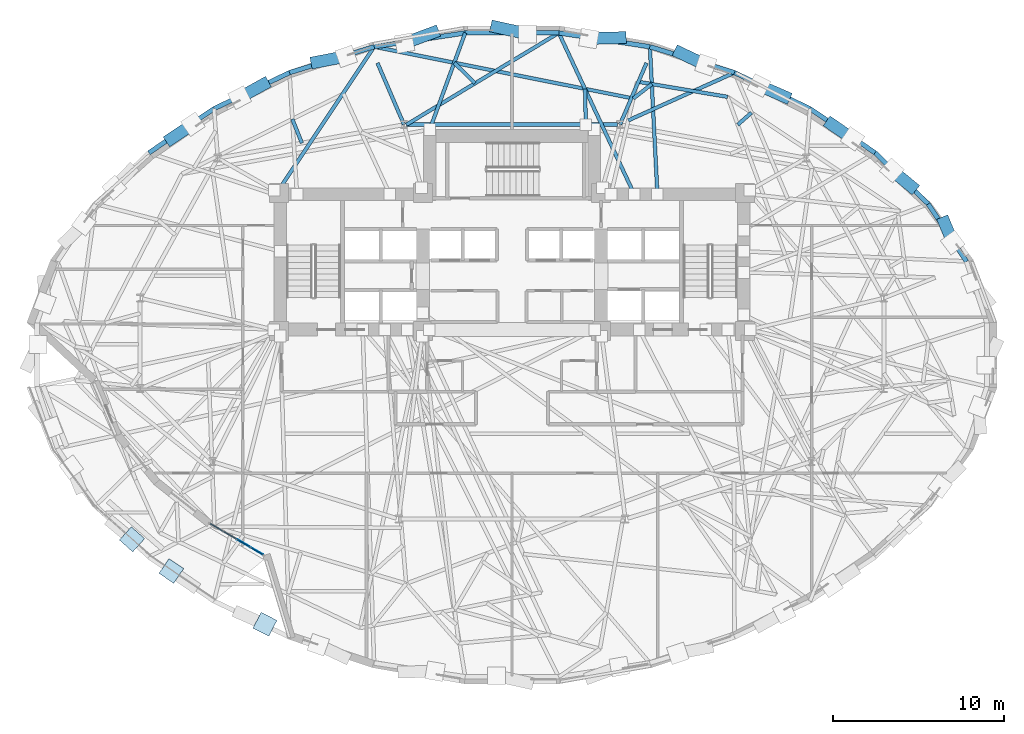
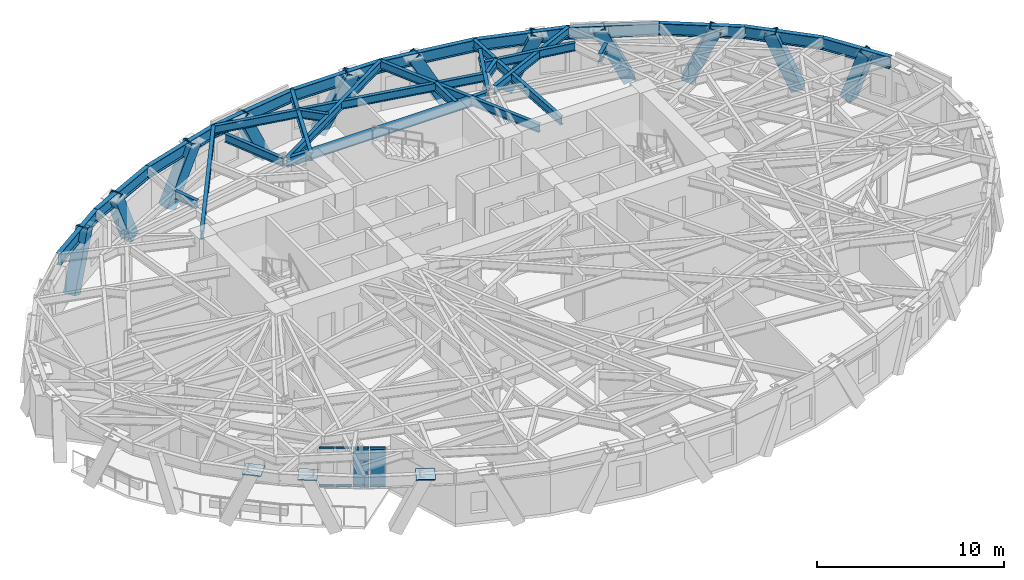
# One storey, part 6 of 17: 27 beams, 19 members, 5 plates, 1 element without a shape of its own.
"""IFC4 building model written with IfcOpenShell, lengths in metres."""

from ifc_helpers import new_model, si_unit, direction, frame, origin, origin_2d, place, context, subcontext, project, spatial, rectangle, hollow_rectangle, i_section, extrude, material, layer, layer_set, material_profile, profile_set, type_object, element, aggregate, save


model = new_model("IFC4")

# Units and contexts
model_context = context("Model", 3, precision=1e-05, world=origin(), true_north=direction((0.0, 1.0)))
body_context = subcontext(model_context, "Body", "Model", "MODEL_VIEW")
ifc_project = project(units=[si_unit("LENGTHUNIT", "METRE"), si_unit("AREAUNIT", "SQUARE_METRE"), si_unit("VOLUMEUNIT", "CUBIC_METRE"), si_unit("PLANEANGLEUNIT", "RADIAN"), si_unit("MASSUNIT", "GRAM", prefix="KILO")], contexts=[model_context])

# Site, building, storey
site_placement = place(None, origin())
site = spatial("IfcSite", under=ifc_project, at=site_placement, CompositionType="ELEMENT")
building_placement = place(site_placement, origin())
building = spatial("IfcBuilding", under=site, at=building_placement, Name="Keldmark Tower", CompositionType="ELEMENT")
storey_placement = place(building_placement, frame((0.0, 0.0, 96.60009765625)))
storey = spatial("IfcBuildingStorey", under=building, at=storey_placement, Name="L25", CompositionType="ELEMENT", Elevation=96.60009765625)

# Curtain wall, members
ifc_material_1 = material(Name="Unitized Thermally Broken Aluminum and Triple Low-E Glazing", Category="aluminium")
ifc_layer_1 = layer(ifc_material_1, 0.219970703125)
ifc_layer_set_1 = layer_set([ifc_layer_1], Name="Unitized Thermally Broken Aluminum and Triple Low-E Glazing")
curtain_wall_type = type_object("IfcCurtainWallType", Name="Spiralling Sky-Garden Feature Curtain Wall System", PredefinedType="NOTDEFINED", material=ifc_layer_set_1)
curtain_wall_placement = place(storey_placement, origin())
curtain_wall = element("IfcCurtainWall", 1, at=curtain_wall_placement, inside=storey, type_object=curtain_wall_type, Name="L25 Spiralling Sky-Garden Feature Curtain Wall System CW-L25-20", PredefinedType="NOTDEFINED")
ifc_material_2 = material(Name="Extruded Aluminum Alloy 6063-T6", Category="aluminium")
ifc_material_profile_1 = material_profile(ifc_material_2, rectangle(XDim=0.06005859375, YDim=0.139892578125, at=origin_2d()), Name="CWT60X140")
ifc_profile_set_1 = profile_set([ifc_material_profile_1], Name="Extruded Aluminum Alloy 6063-T6")
member_type_1 = type_object("IfcMemberType", Name="Curtain Wall Horizontal Transom 60x140", PredefinedType="USERDEFINED", material=ifc_profile_set_1)
member_1_placement = place(storey_placement, frame((-14.53076171875, -11.660888671875, 0.02978515625), z_axis=(-0.862108252401, 0.506724146989, 0.0), x_axis=(-0.506724146989, -0.862108252401, 0.0)))
member_1 = element("IfcMember", 2, at=member_1_placement, type_object=member_type_1, Name="CW transom 1.1", ObjectType="TRANSOM", PredefinedType="USERDEFINED", context=body_context, shape_type="SweptSolid", body=[
    extrude(rectangle(XDim=0.06005859375, YDim=0.139892578125, at=origin_2d()), origin(), (0.0, 0.0, 1.0), 0.8291015625),
])
member_2_placement = place(storey_placement, frame((-14.53076171875, -11.660888671875, 2.497802734375), z_axis=(-0.862108252401, 0.506724146989, 0.0), x_axis=(-0.506724146989, -0.862108252401, 0.0)))
member_2 = element("IfcMember", 3, at=member_2_placement, type_object=member_type_1, Name="CW transom 1.2", ObjectType="TRANSOM", PredefinedType="USERDEFINED", context=body_context, shape_type="SweptSolid", body=[
    extrude(rectangle(XDim=0.06005859375, YDim=0.139892578125, at=origin_2d()), origin(), (0.0, 0.0, 1.0), 0.8291015625),
])
member_3_placement = place(storey_placement, frame((-15.29736328125, -11.210205078125, 0.02978515625), z_axis=(-0.862270100632, 0.506448687979, 0.0), x_axis=(-0.506448687979, -0.862270100632, 0.0)))
member_3 = element("IfcMember", 4, at=member_3_placement, type_object=member_type_1, Name="CW transom 2.1", ObjectType="TRANSOM", PredefinedType="USERDEFINED", context=body_context, shape_type="SweptSolid", body=[
    extrude(rectangle(XDim=0.06005859375, YDim=0.139892578125, at=origin_2d()), origin(), (0.0, 0.0, 1.0), 0.859130859375),
])
member_4_placement = place(storey_placement, frame((-15.29736328125, -11.210205078125, 2.497802734375), z_axis=(-0.862270100632, 0.506448687979, 0.0), x_axis=(-0.506448687979, -0.862270100632, 0.0)))
member_4 = element("IfcMember", 5, at=member_4_placement, type_object=member_type_1, Name="CW transom 2.2", ObjectType="TRANSOM", PredefinedType="USERDEFINED", context=body_context, shape_type="SweptSolid", body=[
    extrude(rectangle(XDim=0.06005859375, YDim=0.139892578125, at=origin_2d()), origin(), (0.0, 0.0, 1.0), 0.859130859375),
])
member_5_placement = place(storey_placement, frame((-16.08984375, -10.74462890625, 0.02978515625), z_axis=(-0.86207301039, 0.506784100734, 0.0), x_axis=(-0.506784100734, -0.86207301039, 0.0)))
member_5 = element("IfcMember", 6, at=member_5_placement, type_object=member_type_1, Name="CW transom 3.1", ObjectType="TRANSOM", PredefinedType="USERDEFINED", context=body_context, shape_type="SweptSolid", body=[
    extrude(rectangle(XDim=0.06005859375, YDim=0.139892578125, at=origin_2d()), origin(), (0.0, 0.0, 1.0), 0.85888671875),
])
member_6_placement = place(storey_placement, frame((-16.08984375, -10.74462890625, 2.497802734375), z_axis=(-0.86207301039, 0.506784100734, 0.0), x_axis=(-0.506784100734, -0.86207301039, 0.0)))
member_6 = element("IfcMember", 7, at=member_6_placement, type_object=member_type_1, Name="CW transom 3.2", ObjectType="TRANSOM", PredefinedType="USERDEFINED", context=body_context, shape_type="SweptSolid", body=[
    extrude(rectangle(XDim=0.06005859375, YDim=0.139892578125, at=origin_2d()), origin(), (0.0, 0.0, 1.0), 0.85888671875),
])
member_7_placement = place(storey_placement, frame((-16.882080078125, -10.279052734375, 0.02978515625), z_axis=(-0.862108252401, 0.506724146989, 0.0), x_axis=(-0.506724146989, -0.862108252401, 0.0)))
member_7 = element("IfcMember", 8, at=member_7_placement, type_object=member_type_1, Name="CW transom 4.1", ObjectType="TRANSOM", PredefinedType="USERDEFINED", context=body_context, shape_type="SweptSolid", body=[
    extrude(rectangle(XDim=0.06005859375, YDim=0.139892578125, at=origin_2d()), origin(), (0.0, 0.0, 1.0), 0.8291015625),
])
member_8_placement = place(storey_placement, frame((-16.882080078125, -10.279052734375, 2.497802734375), z_axis=(-0.862108252401, 0.506724146989, 0.0), x_axis=(-0.506724146989, -0.862108252401, 0.0)))
member_8 = element("IfcMember", 9, at=member_8_placement, type_object=member_type_1, Name="CW transom 4.2", ObjectType="TRANSOM", PredefinedType="USERDEFINED", context=body_context, shape_type="SweptSolid", body=[
    extrude(rectangle(XDim=0.06005859375, YDim=0.139892578125, at=origin_2d()), origin(), (0.0, 0.0, 1.0), 0.8291015625),
])

# Members
ifc_material_3 = material(Name="Steel ASTM A572 Grade 50", Category="steel")
ifc_material_profile_2 = material_profile(ifc_material_3, hollow_rectangle(XDim=0.699951171875, YDim=0.699951171875, WallThickness=0.054931640625, at=origin_2d()), Name="BOX700X700X55")
ifc_profile_set_2 = profile_set([ifc_material_profile_2], Name="Steel ASTM A572 Grade 50")
member_type_2 = type_object("IfcMemberType", Name="Diagrid Zone 1 Brace BOX700X700X55", PredefinedType="BRACE", material=ifc_profile_set_2)
member_9_placement = place(storey_placement, frame((25.227294921875, 7.7373046875, -0.27001953125), z_axis=(0.134030545644, -0.3209852949, 0.937552266966), x_axis=(0.922784061619, 0.385317499761, 0.0)))
element("IfcMember", 10, at=member_9_placement, inside=storey, type_object=member_type_2, Name="L25 Perimeter Diagrid Brace 01B", PredefinedType="BRACE", context=body_context, shape_type="SweptSolid", body=[
    extrude(hollow_rectangle(XDim=0.699951171875, YDim=0.699951171875, WallThickness=0.054931640625, at=origin_2d()), origin(), (0.0, 0.0, 1.0), 3.6904296875),
])
member_10_placement = place(storey_placement, frame((23.323486328125, 9.8125, -0.27001953125), z_axis=(-0.30573270927, 0.252682902301, 0.917975414359), x_axis=(-0.637062902617, -0.770811817573, 0.0)))
element("IfcMember", 11, at=member_10_placement, inside=storey, type_object=member_type_2, Name="L25 Perimeter Diagrid Brace 02A", PredefinedType="BRACE", context=body_context, shape_type="SweptSolid", body=[
    extrude(hollow_rectangle(XDim=0.699951171875, YDim=0.699951171875, WallThickness=0.054931640625, at=origin_2d()), origin(), (0.0, 0.0, 1.0), 3.76904296875),
])
member_11_placement = place(storey_placement, frame((18.62060546875, 13.474609375, -0.27001953125), z_axis=(0.332183954301, -0.228945442556, 0.915006997152), x_axis=(0.567486106701, 0.823382972074, 0.0)))
element("IfcMember", 12, at=member_11_placement, inside=storey, type_object=member_type_2, Name="L25 Perimeter Diagrid Brace 02B", PredefinedType="BRACE", context=body_context, shape_type="SweptSolid", body=[
    extrude(hollow_rectangle(XDim=0.699951171875, YDim=0.699951171875, WallThickness=0.054931640625, at=origin_2d()), origin(), (0.0, 0.0, 1.0), 3.78125),
])
member_12_placement = place(storey_placement, frame((15.92041015625, 15.0625, -0.27001953125), z_axis=(-0.39302743176, 0.171782181089, 0.90333843057), x_axis=(-0.400491389446, -0.916300522198, 0.0)))
element("IfcMember", 13, at=member_12_placement, inside=storey, type_object=member_type_2, Name="L25 Perimeter Diagrid Brace 03A", PredefinedType="BRACE", context=body_context, shape_type="SweptSolid", body=[
    extrude(hollow_rectangle(XDim=0.699951171875, YDim=0.699951171875, WallThickness=0.054931640625, at=origin_2d()), origin(), (0.0, 0.0, 1.0), 3.830078125),
])
member_13_placement = place(storey_placement, frame((9.775634765625, 17.64306640625, -0.27001953125), z_axis=(0.398180599514, -0.187908298832, 0.897854487877), x_axis=(0.426780787201, 0.904355107066, 0.0)))
element("IfcMember", 14, at=member_13_placement, inside=storey, type_object=member_type_2, Name="L25 Perimeter Diagrid Brace 03B", PredefinedType="BRACE", context=body_context, shape_type="SweptSolid", body=[
    extrude(hollow_rectangle(XDim=0.699951171875, YDim=0.699951171875, WallThickness=0.054931640625, at=origin_2d()), origin(), (0.0, 0.0, 1.0), 3.853515625),
])
member_14_placement = place(storey_placement, frame((6.357421875, 18.508056640625, -0.27001953125), z_axis=(-0.476033807993, -0.011851206638, 0.879347122898), x_axis=(0.024888013149, -0.999690245427, 0.0)))
element("IfcMember", 15, at=member_14_placement, inside=storey, type_object=member_type_2, Name="L25 Perimeter Diagrid Brace 04A", PredefinedType="BRACE", context=body_context, shape_type="SweptSolid", body=[
    extrude(hollow_rectangle(XDim=0.699951171875, YDim=0.699951171875, WallThickness=0.054931640625, at=origin_2d()), origin(), (0.0, 0.0, 1.0), 3.934814453125),
])
member_15_placement = place(storey_placement, frame((-0.935302734375, 19.13232421875, -0.27001953125), z_axis=(0.466934405336, -0.1024479124, 0.878337455856), x_axis=(0.214307740146, 0.976766191324, 0.0)))
element("IfcMember", 16, at=member_15_placement, inside=storey, type_object=member_type_2, Name="L25 Perimeter Diagrid Brace 04B", PredefinedType="BRACE", context=body_context, shape_type="SweptSolid", body=[
    extrude(hollow_rectangle(XDim=0.699951171875, YDim=0.699951171875, WallThickness=0.054931640625, at=origin_2d()), origin(), (0.0, 0.0, 1.0), 3.939208984375),
])
member_16_placement = place(storey_placement, frame((-4.57568359375, 18.819091796875, -0.27001953125), z_axis=(-0.433580961865, -0.161333905735, 0.886554521938), x_axis=(0.348736474266, -0.937220823241, 0.0)))
element("IfcMember", 17, at=member_16_placement, inside=storey, type_object=member_type_2, Name="L25 Perimeter Diagrid Brace 05A", PredefinedType="BRACE", context=body_context, shape_type="SweptSolid", body=[
    extrude(hollow_rectangle(XDim=0.699951171875, YDim=0.699951171875, WallThickness=0.054931640625, at=origin_2d()), origin(), (0.0, 0.0, 1.0), 3.902587890625),
])
member_17_placement = place(storey_placement, frame((-11.422607421875, 17.08203125, -0.27001953125), z_axis=(0.449249452938, 0.08646169639, 0.889212744), x_axis=(-0.18898982202, 0.981979046199, 0.0)))
element("IfcMember", 18, at=member_17_placement, inside=storey, type_object=member_type_2, Name="L25 Perimeter Diagrid Brace 05B", PredefinedType="BRACE", context=body_context, shape_type="SweptSolid", body=[
    extrude(hollow_rectangle(XDim=0.699951171875, YDim=0.699951171875, WallThickness=0.054931640625, at=origin_2d()), origin(), (0.0, 0.0, 1.0), 3.89111328125),
])
member_18_placement = place(storey_placement, frame((-14.489013671875, 15.793212890625, -0.27001953125), z_axis=(-0.368119502039, -0.204603276776, 0.906987062395), x_axis=(0.485810649784, -0.874064078061, 0.0)))
element("IfcMember", 19, at=member_18_placement, inside=storey, type_object=member_type_2, Name="L25 Perimeter Diagrid Brace 06A", PredefinedType="BRACE", context=body_context, shape_type="SweptSolid", body=[
    extrude(hollow_rectangle(XDim=0.699951171875, YDim=0.699951171875, WallThickness=0.054931640625, at=origin_2d()), origin(), (0.0, 0.0, 1.0), 3.814697265625),
])
member_19_placement = place(storey_placement, frame((-19.896240234375, 12.607421875, -0.27001953125), z_axis=(0.337562603666, 0.225020237713, 0.914011696438), x_axis=(-0.554663509165, 0.83207475121, 0.0)))
element("IfcMember", 20, at=member_19_placement, inside=storey, type_object=member_type_2, Name="L25 Perimeter Diagrid Brace 06B", PredefinedType="BRACE", context=body_context, shape_type="SweptSolid", body=[
    extrude(hollow_rectangle(XDim=0.699951171875, YDim=0.699951171875, WallThickness=0.054931640625, at=origin_2d()), origin(), (0.0, 0.0, 1.0), 3.785400390625),
])

# Beams
ifc_material_4 = material(Name="Steel ASTM A992 Grade 50", Category="steel")
ifc_material_profile_3 = material_profile(ifc_material_4, i_section(OverallWidth=0.22900390625, OverallDepth=0.612060546875, WebThickness=0.011962890625, FlangeThickness=0.01953125, at=origin_2d()), Name="W24X84")
ifc_profile_set_3 = profile_set([ifc_material_profile_3], Name="Steel ASTM A992 Grade 50")
beam_type_1 = type_object("IfcBeamType", Name="Primary Floor Girder W24X84", PredefinedType="BEAM", material=ifc_profile_set_3)
beam_1_placement = place(storey_placement, frame((6.15869140625, 13.4326171875, 3.00390625), z_axis=(-1.0, 0.0, 0.0), x_axis=(0.0, -1.0, 0.0)))
element("IfcBeam", 21, at=beam_1_placement, inside=storey, type_object=beam_type_1, Name="L25 Floor Ring Girder FG-R03", PredefinedType="BEAM", context=body_context, shape_type="SweptSolid", body=[
    extrude(i_section(OverallWidth=0.22900390625, OverallDepth=0.612060546875, WebThickness=0.011962890625, FlangeThickness=0.01953125, at=origin_2d()), origin(), (0.0, 0.0, 1.0), 12.3173828125),
])
ifc_material_5 = material(Name="Steel ASTM A992 Grade 50", Category="steel")
ifc_material_profile_4 = material_profile(ifc_material_5, i_section(OverallWidth=0.2099609375, OverallDepth=0.537109375, WebThickness=0.010986328125, FlangeThickness=0.017333984375, at=origin_2d()), Name="W21X68")
ifc_profile_set_4 = profile_set([ifc_material_profile_4], Name="Steel ASTM A992 Grade 50")
beam_type_2 = type_object("IfcBeamType", Name="Radial Tie Girder W21X68", PredefinedType="BEAM", material=ifc_profile_set_4)
beam_2_placement = place(storey_placement, frame((13.173583984375, 13.430419921875, 3.04150390625), z_axis=(0.751151083443, 0.660130327922, 0.0), x_axis=(-0.660130327922, 0.751151083443, 0.0)))
element("IfcBeam", 22, at=beam_2_placement, inside=storey, type_object=beam_type_2, Name="L25 Framing Pin Header PH-018", PredefinedType="BEAM", context=body_context, shape_type="SweptSolid", body=[
    extrude(i_section(OverallWidth=0.2099609375, OverallDepth=0.537109375, WebThickness=0.010986328125, FlangeThickness=0.017333984375, at=origin_2d()), origin(), (0.0, 0.0, 1.0), 1.062255859375),
])
beam_3_placement = place(storey_placement, frame((12.98486328125, 16.468017578125, 3.04150390625), z_axis=(-0.912145742508, -0.409866007891, 0.0), x_axis=(0.409866007891, -0.912145742508, 0.0)))
element("IfcBeam", 23, at=beam_3_placement, inside=storey, type_object=beam_type_2, Name="L25 Framing Pin Header PH-019", PredefinedType="BEAM", context=body_context, shape_type="SweptSolid", body=[
    extrude(i_section(OverallWidth=0.2099609375, OverallDepth=0.537109375, WebThickness=0.010986328125, FlangeThickness=0.017333984375, at=origin_2d()), origin(), (0.0, 0.0, 1.0), 6.800048828125),
])
beam_4_placement = place(storey_placement, frame((12.581298828125, 15.053955078125, 3.04150390625), z_axis=(-0.986041156876, 0.166501762596, 0.0), x_axis=(-0.166501762596, -0.986041156876, 0.0)))
element("IfcBeam", 24, at=beam_4_placement, inside=storey, type_object=beam_type_2, Name="L25 Local Collector Chord RT-07C", PredefinedType="BEAM", context=body_context, shape_type="SweptSolid", body=[
    extrude(i_section(OverallWidth=0.2099609375, OverallDepth=0.537109375, WebThickness=0.010986328125, FlangeThickness=0.017333984375, at=origin_2d()), origin(), (0.0, 0.0, 1.0), 5.34619140625),
])
beam_5_placement = place(storey_placement, frame((7.080078125, 14.958740234375, 3.04150390625), z_axis=(0.787685842988, 0.616077115917, 0.0), x_axis=(-0.616077115917, 0.787685842988, 0.0)))
element("IfcBeam", 25, at=beam_5_placement, inside=storey, type_object=beam_type_2, Name="L25 Framing Pin Header PH-020", PredefinedType="BEAM", context=body_context, shape_type="SweptSolid", body=[
    extrude(i_section(OverallWidth=0.2099609375, OverallDepth=0.537109375, WebThickness=0.010986328125, FlangeThickness=0.017333984375, at=origin_2d()), origin(), (0.0, 0.0, 1.0), 1.3671875),
])
beam_6_placement = place(storey_placement, frame((8.485595703125, 9.375, 3.04150390625), z_axis=(-0.051062569851, 0.998695456063, 0.0), x_axis=(-0.998695456063, -0.051062569851, 0.0)))
element("IfcBeam", 26, at=beam_6_placement, inside=storey, type_object=beam_type_2, Name="L25 Perimeter Radial Tie Girder RT-07", PredefinedType="BEAM", context=body_context, shape_type="SweptSolid", body=[
    extrude(i_section(OverallWidth=0.2099609375, OverallDepth=0.537109375, WebThickness=0.010986328125, FlangeThickness=0.017333984375, at=origin_2d()), origin(), (0.0, 0.0, 1.0), 8.61572265625),
])
beam_7_placement = place(storey_placement, frame((-13.52490234375, 9.75, 3.04150390625), z_axis=(0.554204321009, 0.832380664465, 0.0), x_axis=(-0.832380664465, 0.554204321009, 0.0)))
element("IfcBeam", 27, at=beam_7_placement, inside=storey, type_object=beam_type_2, Name="L25 Perimeter Radial Tie Girder RT-10", PredefinedType="BEAM", context=body_context, shape_type="SweptSolid", body=[
    extrude(i_section(OverallWidth=0.2099609375, OverallDepth=0.537109375, WebThickness=0.010986328125, FlangeThickness=0.017333984375, at=origin_2d()), origin(), (0.0, 0.0, 1.0), 9.88671875),
])
beam_8_placement = place(storey_placement, frame((-12.2626953125, 12.360107421875, 3.04150390625), z_axis=(-0.369063913869, 0.929404017357, 0.0), x_axis=(-0.929404017357, -0.369063913869, 0.0)))
element("IfcBeam", 28, at=beam_8_placement, inside=storey, type_object=beam_type_2, Name="L25 Framing Pin Header PH-021", PredefinedType="BEAM", context=body_context, shape_type="SweptSolid", body=[
    extrude(i_section(OverallWidth=0.2099609375, OverallDepth=0.537109375, WebThickness=0.010986328125, FlangeThickness=0.017333984375, at=origin_2d()), origin(), (0.0, 0.0, 1.0), 1.502197265625),
])
for number, where, z_axis, x_axis, name in (
    (29, (-6.298828125, 13.4326171875, 3.04150390625), (-0.395437186935, 0.918493021851, 0.0), (-0.918493021851, -0.395437186935, 0.0), "L25 North Column Cantilever Girder West FG-TCN-W"),
    (30, (6.298828125, 13.4326171875, 3.04150390625), (0.395437186935, 0.918493021851, 0.0), (-0.918493021851, 0.395437186935, 0.0), "L25 North Column Cantilever Girder East FG-TCN-E"),
):
    element("IfcBeam", number, at=place(storey_placement, frame(where, z_axis=z_axis, x_axis=x_axis)), inside=storey, type_object=beam_type_2, Name=name, PredefinedType="BEAM", context=body_context, shape_type="SweptSolid", body=[
        extrude(i_section(OverallWidth=0.2099609375, OverallDepth=0.537109375, WebThickness=0.010986328125, FlangeThickness=0.017333984375, at=origin_2d()), origin(), (0.0, 0.0, 1.0), 3.919921875),
    ])
beam_9_placement = place(storey_placement, frame((7.080078125, 14.958740234375, 3.04150390625), z_axis=(-0.980635427307, 0.195842178066, 0.0), x_axis=(-0.195842178066, -0.980635427307, 0.0)))
element("IfcBeam", 31, at=beam_9_placement, inside=storey, type_object=beam_type_2, Name="L25 Straddling Support Chord RT-08RB", PredefinedType="BEAM", context=body_context, shape_type="SweptSolid", body=[
    extrude(i_section(OverallWidth=0.2099609375, OverallDepth=0.537109375, WebThickness=0.010986328125, FlangeThickness=0.017333984375, at=origin_2d()), origin(), (0.0, 0.0, 1.0), 15.42431640625),
])
beam_10_placement = place(storey_placement, frame((4.311279296875, 13.4326171875, 3.04150390625), z_axis=(-0.025922835673, 0.999663946829, 0.0), x_axis=(-0.999663946829, -0.025922835673, 0.0)))
element("IfcBeam", 32, at=beam_10_placement, inside=storey, type_object=beam_type_2, Name="L25 Framing Pin Header PH-048", PredefinedType="BEAM", context=body_context, shape_type="SweptSolid", body=[
    extrude(i_section(OverallWidth=0.2099609375, OverallDepth=0.537109375, WebThickness=0.010986328125, FlangeThickness=0.017333984375, at=origin_2d()), origin(), (0.0, 0.0, 1.0), 2.0908203125),
])
beam_11_placement = place(storey_placement, frame((7.132080078125, 9.375, 3.04150390625), z_axis=(-0.423632565265, 0.905834118174, 0.0), x_axis=(-0.905834118174, -0.423632565265, 0.0)))
element("IfcBeam", 33, at=beam_11_placement, inside=storey, type_object=beam_type_2, Name="L25 Perimeter Radial Tie Girder RT-08R", PredefinedType="BEAM", context=body_context, shape_type="SweptSolid", body=[
    extrude(i_section(OverallWidth=0.2099609375, OverallDepth=0.537109375, WebThickness=0.010986328125, FlangeThickness=0.017333984375, at=origin_2d()), origin(), (0.0, 0.0, 1.0), 10.391845703125),
])
beam_12_placement = place(storey_placement, frame((2.729736328125, 18.788330078125, 3.04150390625), z_axis=(-0.856528221623, -0.516100189462, 0.0), x_axis=(0.516100189462, -0.856528221623, 0.0)))
element("IfcBeam", 34, at=beam_12_placement, inside=storey, type_object=beam_type_2, Name="L25 Straddling Support Chord RT-09RB", PredefinedType="BEAM", context=body_context, shape_type="SweptSolid", body=[
    extrude(i_section(OverallWidth=0.2099609375, OverallDepth=0.537109375, WebThickness=0.010986328125, FlangeThickness=0.017333984375, at=origin_2d()), origin(), (0.0, 0.0, 1.0), 10.377197265625),
])
beam_13_placement = place(storey_placement, frame((-2.158935546875, 15.8427734375, 3.04150390625), z_axis=(-0.709391899272, 0.704814254429, 0.0), x_axis=(-0.704814254429, -0.709391899272, 0.0)))
element("IfcBeam", 35, at=beam_13_placement, inside=storey, type_object=beam_type_2, Name="L25 Framing Pin Header PH-049", PredefinedType="BEAM", context=body_context, shape_type="SweptSolid", body=[
    extrude(i_section(OverallWidth=0.2099609375, OverallDepth=0.537109375, WebThickness=0.010986328125, FlangeThickness=0.017333984375, at=origin_2d()), origin(), (0.0, 0.0, 1.0), 1.70654296875),
])
beam_14_placement = place(storey_placement, frame((-4.800048828125, 13.14990234375, 3.04150390625), z_axis=(0.344678591082, 0.938720761915, 0.0), x_axis=(-0.938720761915, 0.344678591082, 0.0)))
element("IfcBeam", 36, at=beam_14_placement, inside=storey, type_object=beam_type_2, Name="L25 Perimeter Radial Tie Girder RT-09R", PredefinedType="BEAM", context=body_context, shape_type="SweptSolid", body=[
    extrude(i_section(OverallWidth=0.2099609375, OverallDepth=0.537109375, WebThickness=0.010986328125, FlangeThickness=0.017333984375, at=origin_2d()), origin(), (0.0, 0.0, 1.0), 6.006591796875),
])
ifc_material_6 = material(Name="Steel ASTM A992 Grade 50", Category="steel")
ifc_material_profile_5 = material_profile(ifc_material_6, i_section(OverallWidth=0.26806640625, OverallDepth=0.77001953125, WebThickness=0.015625, FlangeThickness=0.025390625, at=origin_2d()), Name="W30X132")
ifc_profile_set_5 = profile_set([ifc_material_profile_5], Name="Steel ASTM A992 Grade 50")
beam_type_3 = type_object("IfcBeamType", Name="Spandrel Ring Beam W30X132", PredefinedType="SPANDREL", material=ifc_profile_set_5)
beam_15_placement = place(storey_placement, frame((26.522705078125, 5.4541015625, 2.9248046875), z_axis=(-0.554265966169, 0.832339617432, 0.0), x_axis=(-0.832339617432, -0.554265966169, 0.0)))
element("IfcBeam", 37, at=beam_15_placement, inside=storey, type_object=beam_type_3, Name="L25 Perimeter Spandrel Ring Beam SRB-02", PredefinedType="SPANDREL", context=body_context, shape_type="SweptSolid", body=[
    extrude(i_section(OverallWidth=0.26806640625, OverallDepth=0.77001953125, WebThickness=0.015625, FlangeThickness=0.025390625, at=origin_2d()), origin(), (0.0, 0.0, 1.0), 4.02294921875),
])
beam_16_placement = place(storey_placement, frame((24.29296875, 8.802490234375, 2.9248046875), z_axis=(-0.720581378362, 0.693370375166, 0.0), x_axis=(-0.693370375166, -0.720581378362, 0.0)))
element("IfcBeam", 38, at=beam_16_placement, inside=storey, type_object=beam_type_3, Name="L25 Perimeter Spandrel Ring Beam SRB-03", PredefinedType="SPANDREL", context=body_context, shape_type="SweptSolid", body=[
    extrude(i_section(OverallWidth=0.26806640625, OverallDepth=0.77001953125, WebThickness=0.015625, FlangeThickness=0.025390625, at=origin_2d()), origin(), (0.0, 0.0, 1.0), 4.306640625),
])
beam_17_placement = place(storey_placement, frame((21.189697265625, 11.78857421875, 2.9248046875), z_axis=(-0.827754551165, 0.56109036975, 0.0), x_axis=(-0.56109036975, -0.827754551165, 0.0)))
element("IfcBeam", 39, at=beam_17_placement, inside=storey, type_object=beam_type_3, Name="L25 Perimeter Spandrel Ring Beam SRB-04", PredefinedType="SPANDREL", context=body_context, shape_type="SweptSolid", body=[
    extrude(i_section(OverallWidth=0.26806640625, OverallDepth=0.77001953125, WebThickness=0.015625, FlangeThickness=0.025390625, at=origin_2d()), origin(), (0.0, 0.0, 1.0), 4.590576171875),
])
beam_18_placement = place(storey_placement, frame((17.389892578125, 14.3642578125, 2.9248046875), z_axis=(-0.902372757907, 0.430956385018, 0.0), x_axis=(-0.430956385018, -0.902372757907, 0.0)))
element("IfcBeam", 40, at=beam_18_placement, inside=storey, type_object=beam_type_3, Name="L25 Perimeter Spandrel Ring Beam SRB-05", PredefinedType="SPANDREL", context=body_context, shape_type="SweptSolid", body=[
    extrude(i_section(OverallWidth=0.26806640625, OverallDepth=0.77001953125, WebThickness=0.015625, FlangeThickness=0.025390625, at=origin_2d()), origin(), (0.0, 0.0, 1.0), 4.881591796875),
])
beam_19_placement = place(storey_placement, frame((12.98486328125, 16.468017578125, 2.9248046875), z_axis=(-0.956228569431, 0.292620783617, 0.0), x_axis=(-0.292620783617, -0.956228569431, 0.0)))
element("IfcBeam", 41, at=beam_19_placement, inside=storey, type_object=beam_type_3, Name="L25 Perimeter Spandrel Ring Beam SRB-06", PredefinedType="SPANDREL", context=body_context, shape_type="SweptSolid", body=[
    extrude(i_section(OverallWidth=0.26806640625, OverallDepth=0.77001953125, WebThickness=0.015625, FlangeThickness=0.025390625, at=origin_2d()), origin(), (0.0, 0.0, 1.0), 5.165283203125),
])
beam_20_placement = place(storey_placement, frame((8.045654296875, 17.9794921875, 2.9248046875), z_axis=(-0.988621773192, 0.150422702975, 0.0), x_axis=(-0.150422702975, -0.988621773192, 0.0)))
element("IfcBeam", 42, at=beam_20_placement, inside=storey, type_object=beam_type_3, Name="L25 Perimeter Spandrel Ring Beam SRB-07", PredefinedType="SPANDREL", context=body_context, shape_type="SweptSolid", body=[
    extrude(i_section(OverallWidth=0.26806640625, OverallDepth=0.77001953125, WebThickness=0.015625, FlangeThickness=0.025390625, at=origin_2d()), origin(), (0.0, 0.0, 1.0), 5.377197265625),
])
beam_21_placement = place(storey_placement, frame((2.729736328125, 18.788330078125, 2.9248046875), z_axis=(-1.0, 0.0, 0.0), x_axis=(0.0, -1.0, 0.0)))
element("IfcBeam", 43, at=beam_21_placement, inside=storey, type_object=beam_type_3, Name="L25 Perimeter Spandrel Ring Beam SRB-08", PredefinedType="SPANDREL", context=body_context, shape_type="SweptSolid", body=[
    extrude(i_section(OverallWidth=0.26806640625, OverallDepth=0.77001953125, WebThickness=0.015625, FlangeThickness=0.025390625, at=origin_2d()), origin(), (0.0, 0.0, 1.0), 5.45947265625),
])
beam_22_placement = place(storey_placement, frame((-2.729736328125, 18.788330078125, 2.9248046875), z_axis=(-0.988621773192, -0.150422702975, 0.0), x_axis=(0.150422702975, -0.988621773192, 0.0)))
element("IfcBeam", 44, at=beam_22_placement, inside=storey, type_object=beam_type_3, Name="L25 Perimeter Spandrel Ring Beam SRB-09", PredefinedType="SPANDREL", context=body_context, shape_type="SweptSolid", body=[
    extrude(i_section(OverallWidth=0.26806640625, OverallDepth=0.77001953125, WebThickness=0.015625, FlangeThickness=0.025390625, at=origin_2d()), origin(), (0.0, 0.0, 1.0), 5.377197265625),
])
beam_23_placement = place(storey_placement, frame((-8.045654296875, 17.9794921875, 2.9248046875), z_axis=(-0.956228569431, -0.292620783617, 0.0), x_axis=(0.292620783617, -0.956228569431, 0.0)))
element("IfcBeam", 45, at=beam_23_placement, inside=storey, type_object=beam_type_3, Name="L25 Perimeter Spandrel Ring Beam SRB-10", PredefinedType="SPANDREL", context=body_context, shape_type="SweptSolid", body=[
    extrude(i_section(OverallWidth=0.26806640625, OverallDepth=0.77001953125, WebThickness=0.015625, FlangeThickness=0.025390625, at=origin_2d()), origin(), (0.0, 0.0, 1.0), 5.165283203125),
])
beam_24_placement = place(storey_placement, frame((-12.98486328125, 16.468017578125, 2.9248046875), z_axis=(-0.902372757907, -0.430956385018, 0.0), x_axis=(0.430956385018, -0.902372757907, 0.0)))
element("IfcBeam", 46, at=beam_24_placement, inside=storey, type_object=beam_type_3, Name="L25 Perimeter Spandrel Ring Beam SRB-11", PredefinedType="SPANDREL", context=body_context, shape_type="SweptSolid", body=[
    extrude(i_section(OverallWidth=0.26806640625, OverallDepth=0.77001953125, WebThickness=0.015625, FlangeThickness=0.025390625, at=origin_2d()), origin(), (0.0, 0.0, 1.0), 4.881591796875),
])
beam_25_placement = place(storey_placement, frame((-17.389892578125, 14.3642578125, 2.9248046875), z_axis=(-0.827754551165, -0.56109036975, 0.0), x_axis=(0.56109036975, -0.827754551165, 0.0)))
element("IfcBeam", 47, at=beam_25_placement, inside=storey, type_object=beam_type_3, Name="L25 Perimeter Spandrel Ring Beam SRB-12", PredefinedType="SPANDREL", context=body_context, shape_type="SweptSolid", body=[
    extrude(i_section(OverallWidth=0.26806640625, OverallDepth=0.77001953125, WebThickness=0.015625, FlangeThickness=0.025390625, at=origin_2d()), origin(), (0.0, 0.0, 1.0), 4.590576171875),
])

# Plates
ifc_material_7 = material(Name="Steel ASTM A572 Grade 50", Category="steel")
ifc_layer_2 = layer(ifc_material_7, 0.06494140625)
ifc_layer_set_2 = layer_set([ifc_layer_2], Name="Steel ASTM A572 Grade 50")
plate_type_1 = type_object("IfcPlateType", Name="Diagrid Node Assembly DN02 65 mm", PredefinedType="USERDEFINED", material=ifc_layer_set_2)
for number, where, z_axis, x_axis, name in (
    (48, (-22.171142578125, -10.764892578125, 3.157470703125), (0.0, 0.0, 1.0), (0.743845129807, -0.668352020168, 0.0), "L25 Diagrid Node Assembly 19"),
    (49, (-19.876708984375, -12.60888671875, 3.157470703125), (0.0, 0.0, 1.0), (0.827766671236, -0.56107248907, 0.0), "L25 Diagrid Node Assembly 20"),
    (50, (-14.4150390625, -15.720458984375, 3.157470703125), (0.0, 0.0, 1.0), (0.890292298637, -0.455389528851, 0.0), "L25 Diagrid Node Assembly 21"),
):
    element("IfcPlate", number, at=place(storey_placement, frame(where, z_axis=z_axis, x_axis=x_axis)), inside=storey, type_object=plate_type_1, Name=name, ObjectType="GUSSET", PredefinedType="USERDEFINED", context=body_context, shape_type="SweptSolid", body=[
        extrude(rectangle(XDim=1.0400390625, YDim=1.0400390625, at=origin_2d()), origin(), (0.0, 0.0, 1.0), 0.06494140625),
    ])

# Plate
ifc_material_8 = material(Name="Triple Silver Low-E Insulated Glass Unit", Category="glass")
ifc_layer_3 = layer(ifc_material_8, 0.035888671875)
ifc_layer_set_3 = layer_set([ifc_layer_3], Name="Triple Silver Low-E Insulated Glass Unit")
plate_type_2 = type_object("IfcPlateType", Name="Triple Low-E Vision Glazing Panel 36 mm", PredefinedType="CURTAIN_PANEL", material=ifc_layer_set_3)
plate_1_placement = place(storey_placement, frame((-14.88818359375, -11.45068359375, 0.06005859375), z_axis=(0.0, 0.0, 1.0), x_axis=(-0.862144612034, 0.506662281941, 0.0)))
plate_1 = element("IfcPlate", 51, at=plate_1_placement, type_object=plate_type_2, Name="CW panel 1.1", PredefinedType="CURTAIN_PANEL", context=body_context, shape_type="SweptSolid", body=[
    extrude(rectangle(XDim=0.8291015625, YDim=0.035888671875, at=origin_2d()), origin(), (0.0, 0.0, 1.0), 2.407958984375),
])

plate_2_placement = place(storey_placement, frame((-15.667724609375, -10.99267578125, 0.06005859375), z_axis=(0.0, 0.0, 1.0), x_axis=(-0.862144612034, 0.506662281941, 0.0)))
plate_2 = element("IfcPlate", 52, at=plate_2_placement, type_object=plate_type_2, Name="CW panel 2.1", PredefinedType="CURTAIN_PANEL", context=body_context, shape_type="SweptSolid", body=[
    extrude(rectangle(XDim=0.859130859375, YDim=0.035888671875, at=origin_2d()), origin(), (0.0, 0.0, 1.0), 2.407958984375),
])

aggregate(curtain_wall, [member_1, member_2, plate_1, member_3, member_4, plate_2, member_5, member_6, member_7, member_8])

save(model, "model.ifc")
